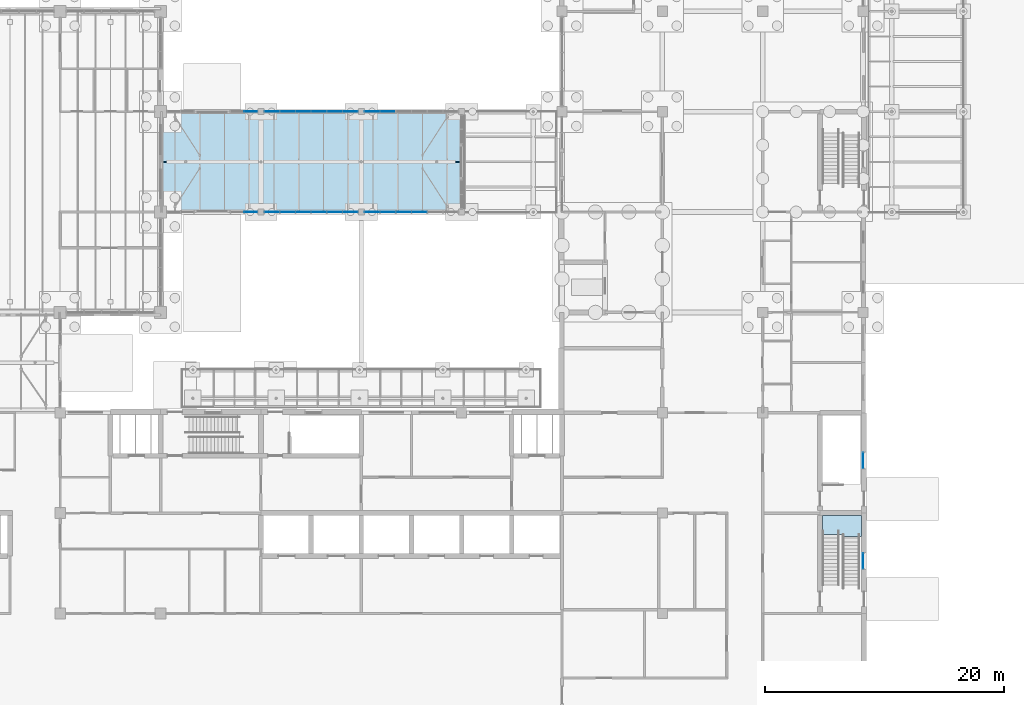
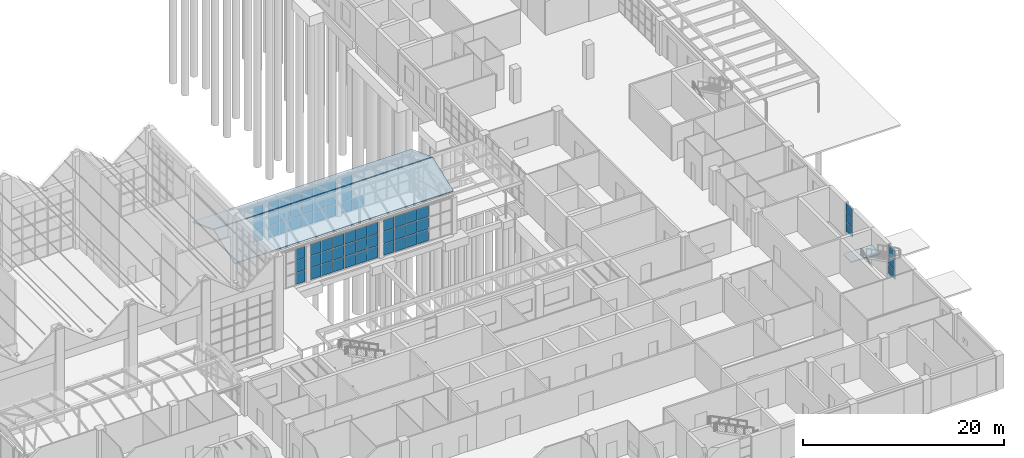
# One storey, part 89 of 138: 64 plates, 3 slabs, 9 elements without a shape of their own.
"""IFC4 building model written with IfcOpenShell, lengths in metres."""

from ifc_helpers import new_model, si_unit, direction, frame, origin, origin_2d, place, context, subcontext, project, spatial, polyline, rectangle, outline, extrude, material, layer, layer_set, type_object, element, aggregate, save


model = new_model("IFC4")

# Units and contexts
model_context = context("Model", 3, precision=1e-05, world=origin(), true_north=direction((0.0, 1.0)))
body_context = subcontext(model_context, "Body", "Model", "MODEL_VIEW")
ifc_project = project(units=[si_unit("LENGTHUNIT", "METRE"), si_unit("AREAUNIT", "SQUARE_METRE"), si_unit("VOLUMEUNIT", "CUBIC_METRE"), si_unit("PLANEANGLEUNIT", "RADIAN"), si_unit("MASSUNIT", "GRAM", prefix="KILO")], contexts=[model_context])

# Site, building, storey
site_placement = place(None, origin())
site = spatial("IfcSite", under=ifc_project, at=site_placement, CompositionType="ELEMENT")
building_placement = place(site_placement, origin())
building = spatial("IfcBuilding", under=site, at=building_placement, Name="Yavir Park General Hospital", CompositionType="ELEMENT")
storey_placement = place(building_placement, origin())
storey = spatial("IfcBuildingStorey", under=building, at=storey_placement, Name="L00", CompositionType="ELEMENT", Elevation=0.0)

# Stair, slab
ifc_material_1 = material(Name="Concrete C30/37", Category="concrete")
stair_type = type_object("IfcStairType", Name="Patient escape stair, 30 risers of 150 mm, 1400 mm flights", PredefinedType="HALF_TURN_STAIR", material=ifc_material_1)
stair_placement = place(storey_placement, origin())
stair = element("IfcStair", 1, at=stair_placement, inside=storey, type_object=stair_type, Name="Stair SU6, L00 to L01", PredefinedType="HALF_TURN_STAIR")
ifc_material_2 = material(Name="Concrete C30/37", Category="concrete")
ifc_layer_1 = layer(ifc_material_2, 0.159912109375)
ifc_layer_set_1 = layer_set([ifc_layer_1], Name="Concrete C30/37")
slab_type_1 = type_object("IfcSlabType", Name="Patient escape stair half landing, reinforced concrete 160 mm", PredefinedType="LANDING", material=ifc_layer_set_1)
slab_placement = place(storey_placement, frame((0.0, 0.0, 2.090087890625)))
slab = element("IfcSlab", 2, at=slab_placement, type_object=slab_type_1, Name="SU6 landing 1", PredefinedType="LANDING", context=body_context, shape_type="SweptSolid", body=[
    extrude(outline(polyline([(164.60009765625, 23.3984375), (164.60009765625, 25.0), (167.85009765625, 25.0), (167.85009765625, 23.25), (166.300048828125, 23.25), (166.300048828125, 23.3984375), (164.60009765625, 23.3984375)])), origin(), (0.0, 0.0, 1.0), 0.159912109375),
])
aggregate(stair, [slab])

# Slabs
ifc_material_3 = material(Name="Toughened safety glass", Category="glass")
ifc_layer_2 = layer(ifc_material_3, 0.14990234375)
ifc_layer_set_2 = layer_set([ifc_layer_2], Name="Toughened safety glass")
slab_type_2 = type_object("IfcSlabType", Name="Safety glass roof panel 150", PredefinedType="ROOF", material=ifc_layer_set_2)
for number, where, z_axis, x_axis, name in (
    (3, (109.199951171875, 50.39990234375, 5.10009765625), (0.0, -0.355990757172, 0.934489476028), (1.0, 0.0, 0.0), "Winter-garden concourse roof glazing CONC-S1"),
    (4, (109.199951171875, 54.6484375, 6.681640625), (0.0, 0.355990757172, 0.934489476028), (1.0, 0.0, 0.0), "Winter-garden concourse roof glazing CONC-N1"),
):
    element("IfcSlab", number, at=place(storey_placement, frame(where, z_axis=z_axis, x_axis=x_axis)), inside=storey, type_object=slab_type_2, Name=name, PredefinedType="ROOF", context=body_context, shape_type="SweptSolid", body=[
        extrude(outline(polyline([(0.0, 0.0), (25.199951171875, 0.0), (25.199951171875, 4.4426517736390725), (0.0, 4.4426517736390725), (0.0, 0.0)])), origin(), (0.0, 0.0, -1.0), 0.14990234375),
    ])

# Curtain wall, plates
ifc_material_4 = material(Name="Aluminium curtain wall frame with insulated glazing", Category="aluminium")
curtain_wall_type_1 = type_object("IfcCurtainWallType", Name="Stair light slot, ground floor, 3540 high, 1400 module", PredefinedType="NOTDEFINED", material=ifc_material_4)
curtain_wall_1_placement = place(storey_placement, origin())
curtain_wall_1 = element("IfcCurtainWall", 5, at=curtain_wall_1_placement, inside=storey, type_object=curtain_wall_type_1, Name="CW19 L00-072", PredefinedType="NOTDEFINED")
ifc_material_5 = material(Name="Impact-resistant glazed unit 60 mm")
ifc_layer_3 = layer(ifc_material_5, 0.06005859375)
ifc_layer_set_3 = layer_set([ifc_layer_3], Name="Impact-resistant glazed unit 60 mm")
plate_type_1 = type_object("IfcPlateType", Name="Stair light slot, ground floor, 3540 high panel 60", PredefinedType="CURTAIN_PANEL", material=ifc_layer_set_3)
plate_1_placement = place(storey_placement, frame((168.0, 21.199951171875, 0.64990234375), z_axis=(0.0, 0.0, 1.0), x_axis=(0.0, 1.0, 0.0)))
plate_1 = element("IfcPlate", 6, at=plate_1_placement, type_object=plate_type_1, Name="CW19 panel 1.1", PredefinedType="CURTAIN_PANEL", context=body_context, shape_type="SweptSolid", body=[
    extrude(rectangle(XDim=1.300048828125, YDim=0.06005859375, at=origin_2d()), origin(), (0.0, 0.0, 1.0), 1.10498046875),
])
plate_2_placement = place(storey_placement, frame((168.0, 21.199951171875, 1.80517578125), z_axis=(0.0, 0.0, 1.0), x_axis=(0.0, 1.0, 0.0)))
plate_2 = element("IfcPlate", 7, at=plate_2_placement, type_object=plate_type_1, Name="CW19 panel 1.2", PredefinedType="CURTAIN_PANEL", context=body_context, shape_type="SweptSolid", body=[
    extrude(rectangle(XDim=1.300048828125, YDim=0.06005859375, at=origin_2d()), origin(), (0.0, 0.0, 1.0), 1.1298828125),
])
plate_3_placement = place(storey_placement, frame((168.0, 21.199951171875, 2.985107421875), z_axis=(0.0, 0.0, 1.0), x_axis=(0.0, 1.0, 0.0)))
plate_3 = element("IfcPlate", 8, at=plate_3_placement, type_object=plate_type_1, Name="CW19 panel 1.3", PredefinedType="CURTAIN_PANEL", context=body_context, shape_type="SweptSolid", body=[
    extrude(rectangle(XDim=1.300048828125, YDim=0.06005859375, at=origin_2d()), origin(), (0.0, 0.0, 1.0), 1.10498046875),
])
aggregate(curtain_wall_1, [plate_1, plate_2, plate_3])

curtain_wall_2_placement = place(storey_placement, origin())
curtain_wall_2 = element("IfcCurtainWall", 9, at=curtain_wall_2_placement, inside=storey, type_object=curtain_wall_type_1, Name="CW19 L00-073", PredefinedType="NOTDEFINED")
plate_4_placement = place(storey_placement, frame((168.0, 29.60009765625, 0.64990234375), z_axis=(0.0, 0.0, 1.0), x_axis=(0.0, 1.0, 0.0)))
plate_4 = element("IfcPlate", 10, at=plate_4_placement, type_object=plate_type_1, Name="CW19 panel 1.1", PredefinedType="CURTAIN_PANEL", context=body_context, shape_type="SweptSolid", body=[
    extrude(rectangle(XDim=1.300048828125, YDim=0.06005859375, at=origin_2d()), origin(), (0.0, 0.0, 1.0), 1.10498046875),
])
plate_5_placement = place(storey_placement, frame((168.0, 29.60009765625, 1.80517578125), z_axis=(0.0, 0.0, 1.0), x_axis=(0.0, 1.0, 0.0)))
plate_5 = element("IfcPlate", 11, at=plate_5_placement, type_object=plate_type_1, Name="CW19 panel 1.2", PredefinedType="CURTAIN_PANEL", context=body_context, shape_type="SweptSolid", body=[
    extrude(rectangle(XDim=1.300048828125, YDim=0.06005859375, at=origin_2d()), origin(), (0.0, 0.0, 1.0), 1.1298828125),
])
plate_6_placement = place(storey_placement, frame((168.0, 29.60009765625, 2.985107421875), z_axis=(0.0, 0.0, 1.0), x_axis=(0.0, 1.0, 0.0)))
plate_6 = element("IfcPlate", 12, at=plate_6_placement, type_object=plate_type_1, Name="CW19 panel 1.3", PredefinedType="CURTAIN_PANEL", context=body_context, shape_type="SweptSolid", body=[
    extrude(rectangle(XDim=1.300048828125, YDim=0.06005859375, at=origin_2d()), origin(), (0.0, 0.0, 1.0), 1.10498046875),
])
aggregate(curtain_wall_2, [plate_4, plate_5, plate_6])

ifc_material_6 = material(Name="Aluminium curtain wall frame with insulated glazing", Category="aluminium")
curtain_wall_type_2 = type_object("IfcCurtainWallType", Name="Winter-garden concourse glazing, 4425 high, 1400 module", PredefinedType="NOTDEFINED", material=ifc_material_6)
curtain_wall_3_placement = place(storey_placement, origin())
curtain_wall_3 = element("IfcCurtainWall", 13, at=curtain_wall_3_placement, inside=storey, type_object=curtain_wall_type_2, Name="CW37 L00-014", PredefinedType="NOTDEFINED")
ifc_material_7 = material(Name="Solar-control insulated glazed unit 40 mm")
ifc_layer_4 = layer(ifc_material_7, 0.0400390625)
ifc_layer_set_4 = layer_set([ifc_layer_4], Name="Solar-control insulated glazed unit 40 mm")
plate_type_2 = type_object("IfcPlateType", Name="Winter-garden concourse glazing, 4425 high panel 40", PredefinedType="CURTAIN_PANEL", material=ifc_layer_set_4)
plate_7_placement = place(storey_placement, frame((116.753662109375, 50.39990234375, 0.06005859375), z_axis=(0.0, 0.0, 1.0), x_axis=(1.0, 0.0, 0.0)))
plate_7 = element("IfcPlate", 14, at=plate_7_placement, type_object=plate_type_2, Name="CW37 panel 2.1", PredefinedType="CURTAIN_PANEL", context=body_context, shape_type="SweptSolid", body=[
    extrude(rectangle(XDim=1.072509765625, YDim=0.0400390625, at=origin_2d()), origin(), (0.0, 0.0, 1.0), 1.385009765625),
])
plate_8_placement = place(storey_placement, frame((116.753662109375, 50.39990234375, 1.5048828125), z_axis=(0.0, 0.0, 1.0), x_axis=(1.0, 0.0, 0.0)))
plate_8 = element("IfcPlate", 15, at=plate_8_placement, type_object=plate_type_2, Name="CW37 panel 2.2", PredefinedType="CURTAIN_PANEL", context=body_context, shape_type="SweptSolid", body=[
    extrude(rectangle(XDim=1.072509765625, YDim=0.0400390625, at=origin_2d()), origin(), (0.0, 0.0, 1.0), 1.4150390625),
])
plate_9_placement = place(storey_placement, frame((116.753662109375, 50.39990234375, 2.97998046875), z_axis=(0.0, 0.0, 1.0), x_axis=(1.0, 0.0, 0.0)))
plate_9 = element("IfcPlate", 16, at=plate_9_placement, type_object=plate_type_2, Name="CW37 panel 2.3", PredefinedType="CURTAIN_PANEL", context=body_context, shape_type="SweptSolid", body=[
    extrude(rectangle(XDim=1.072509765625, YDim=0.0400390625, at=origin_2d()), origin(), (0.0, 0.0, 1.0), 1.385009765625),
])
aggregate(curtain_wall_3, [plate_7, plate_8, plate_9])

curtain_wall_4_placement = place(storey_placement, origin())
curtain_wall_4 = element("IfcCurtainWall", 17, at=curtain_wall_4_placement, inside=storey, type_object=curtain_wall_type_2, Name="CW37 L00-015", PredefinedType="NOTDEFINED")
plate_10_placement = place(storey_placement, frame((118.5234375, 50.39990234375, 0.06005859375), z_axis=(0.0, 0.0, 1.0), x_axis=(1.0, 0.0, 0.0)))
plate_10 = element("IfcPlate", 18, at=plate_10_placement, type_object=plate_type_2, Name="CW37 panel 1.1", PredefinedType="CURTAIN_PANEL", context=body_context, shape_type="SweptSolid", body=[
    extrude(rectangle(XDim=1.2265625, YDim=0.0400390625, at=origin_2d()), origin(), (0.0, 0.0, 1.0), 1.385009765625),
])
plate_11_placement = place(storey_placement, frame((118.5234375, 50.39990234375, 1.5048828125), z_axis=(0.0, 0.0, 1.0), x_axis=(1.0, 0.0, 0.0)))
plate_11 = element("IfcPlate", 19, at=plate_11_placement, type_object=plate_type_2, Name="CW37 panel 1.2", PredefinedType="CURTAIN_PANEL", context=body_context, shape_type="SweptSolid", body=[
    extrude(rectangle(XDim=1.2265625, YDim=0.0400390625, at=origin_2d()), origin(), (0.0, 0.0, 1.0), 1.4150390625),
])
plate_12_placement = place(storey_placement, frame((118.5234375, 50.39990234375, 2.97998046875), z_axis=(0.0, 0.0, 1.0), x_axis=(1.0, 0.0, 0.0)))
plate_12 = element("IfcPlate", 20, at=plate_12_placement, type_object=plate_type_2, Name="CW37 panel 1.3", PredefinedType="CURTAIN_PANEL", context=body_context, shape_type="SweptSolid", body=[
    extrude(rectangle(XDim=1.2265625, YDim=0.0400390625, at=origin_2d()), origin(), (0.0, 0.0, 1.0), 1.385009765625),
])
plate_13_placement = place(storey_placement, frame((119.824951171875, 50.39990234375, 0.06005859375), z_axis=(0.0, 0.0, 1.0), x_axis=(1.0, 0.0, 0.0)))
plate_13 = element("IfcPlate", 21, at=plate_13_placement, type_object=plate_type_2, Name="CW37 panel 2.1", PredefinedType="CURTAIN_PANEL", context=body_context, shape_type="SweptSolid", body=[
    extrude(rectangle(XDim=1.256591796875, YDim=0.0400390625, at=origin_2d()), origin(), (0.0, 0.0, 1.0), 1.385009765625),
])
plate_14_placement = place(storey_placement, frame((119.824951171875, 50.39990234375, 1.5048828125), z_axis=(0.0, 0.0, 1.0), x_axis=(1.0, 0.0, 0.0)))
plate_14 = element("IfcPlate", 22, at=plate_14_placement, type_object=plate_type_2, Name="CW37 panel 2.2", PredefinedType="CURTAIN_PANEL", context=body_context, shape_type="SweptSolid", body=[
    extrude(rectangle(XDim=1.256591796875, YDim=0.0400390625, at=origin_2d()), origin(), (0.0, 0.0, 1.0), 1.4150390625),
])
plate_15_placement = place(storey_placement, frame((119.824951171875, 50.39990234375, 2.97998046875), z_axis=(0.0, 0.0, 1.0), x_axis=(1.0, 0.0, 0.0)))
plate_15 = element("IfcPlate", 23, at=plate_15_placement, type_object=plate_type_2, Name="CW37 panel 2.3", PredefinedType="CURTAIN_PANEL", context=body_context, shape_type="SweptSolid", body=[
    extrude(rectangle(XDim=1.256591796875, YDim=0.0400390625, at=origin_2d()), origin(), (0.0, 0.0, 1.0), 1.385009765625),
])
plate_16_placement = place(storey_placement, frame((121.1416015625, 50.39990234375, 0.06005859375), z_axis=(0.0, 0.0, 1.0), x_axis=(1.0, 0.0, 0.0)))
plate_16 = element("IfcPlate", 24, at=plate_16_placement, type_object=plate_type_2, Name="CW37 panel 3.1", PredefinedType="CURTAIN_PANEL", context=body_context, shape_type="SweptSolid", body=[
    extrude(rectangle(XDim=1.256591796875, YDim=0.0400390625, at=origin_2d()), origin(), (0.0, 0.0, 1.0), 1.385009765625),
])
plate_17_placement = place(storey_placement, frame((121.1416015625, 50.39990234375, 1.5048828125), z_axis=(0.0, 0.0, 1.0), x_axis=(1.0, 0.0, 0.0)))
plate_17 = element("IfcPlate", 25, at=plate_17_placement, type_object=plate_type_2, Name="CW37 panel 3.2", PredefinedType="CURTAIN_PANEL", context=body_context, shape_type="SweptSolid", body=[
    extrude(rectangle(XDim=1.256591796875, YDim=0.0400390625, at=origin_2d()), origin(), (0.0, 0.0, 1.0), 1.4150390625),
])
plate_18_placement = place(storey_placement, frame((121.1416015625, 50.39990234375, 2.97998046875), z_axis=(0.0, 0.0, 1.0), x_axis=(1.0, 0.0, 0.0)))
plate_18 = element("IfcPlate", 26, at=plate_18_placement, type_object=plate_type_2, Name="CW37 panel 3.3", PredefinedType="CURTAIN_PANEL", context=body_context, shape_type="SweptSolid", body=[
    extrude(rectangle(XDim=1.256591796875, YDim=0.0400390625, at=origin_2d()), origin(), (0.0, 0.0, 1.0), 1.385009765625),
])
plate_19_placement = place(storey_placement, frame((122.458251953125, 50.39990234375, 0.06005859375), z_axis=(0.0, 0.0, 1.0), x_axis=(1.0, 0.0, 0.0)))
plate_19 = element("IfcPlate", 27, at=plate_19_placement, type_object=plate_type_2, Name="CW37 panel 4.1", PredefinedType="CURTAIN_PANEL", context=body_context, shape_type="SweptSolid", body=[
    extrude(rectangle(XDim=1.256591796875, YDim=0.0400390625, at=origin_2d()), origin(), (0.0, 0.0, 1.0), 1.385009765625),
])
plate_20_placement = place(storey_placement, frame((122.458251953125, 50.39990234375, 1.5048828125), z_axis=(0.0, 0.0, 1.0), x_axis=(1.0, 0.0, 0.0)))
plate_20 = element("IfcPlate", 28, at=plate_20_placement, type_object=plate_type_2, Name="CW37 panel 4.2", PredefinedType="CURTAIN_PANEL", context=body_context, shape_type="SweptSolid", body=[
    extrude(rectangle(XDim=1.256591796875, YDim=0.0400390625, at=origin_2d()), origin(), (0.0, 0.0, 1.0), 1.4150390625),
])
plate_21_placement = place(storey_placement, frame((122.458251953125, 50.39990234375, 2.97998046875), z_axis=(0.0, 0.0, 1.0), x_axis=(1.0, 0.0, 0.0)))
plate_21 = element("IfcPlate", 29, at=plate_21_placement, type_object=plate_type_2, Name="CW37 panel 4.3", PredefinedType="CURTAIN_PANEL", context=body_context, shape_type="SweptSolid", body=[
    extrude(rectangle(XDim=1.256591796875, YDim=0.0400390625, at=origin_2d()), origin(), (0.0, 0.0, 1.0), 1.385009765625),
])
plate_22_placement = place(storey_placement, frame((123.77490234375, 50.39990234375, 0.06005859375), z_axis=(0.0, 0.0, 1.0), x_axis=(1.0, 0.0, 0.0)))
plate_22 = element("IfcPlate", 30, at=plate_22_placement, type_object=plate_type_2, Name="CW37 panel 5.1", PredefinedType="CURTAIN_PANEL", context=body_context, shape_type="SweptSolid", body=[
    extrude(rectangle(XDim=1.256591796875, YDim=0.0400390625, at=origin_2d()), origin(), (0.0, 0.0, 1.0), 1.385009765625),
])
plate_23_placement = place(storey_placement, frame((123.77490234375, 50.39990234375, 1.5048828125), z_axis=(0.0, 0.0, 1.0), x_axis=(1.0, 0.0, 0.0)))
plate_23 = element("IfcPlate", 31, at=plate_23_placement, type_object=plate_type_2, Name="CW37 panel 5.2", PredefinedType="CURTAIN_PANEL", context=body_context, shape_type="SweptSolid", body=[
    extrude(rectangle(XDim=1.256591796875, YDim=0.0400390625, at=origin_2d()), origin(), (0.0, 0.0, 1.0), 1.4150390625),
])
plate_24_placement = place(storey_placement, frame((123.77490234375, 50.39990234375, 2.97998046875), z_axis=(0.0, 0.0, 1.0), x_axis=(1.0, 0.0, 0.0)))
plate_24 = element("IfcPlate", 32, at=plate_24_placement, type_object=plate_type_2, Name="CW37 panel 5.3", PredefinedType="CURTAIN_PANEL", context=body_context, shape_type="SweptSolid", body=[
    extrude(rectangle(XDim=1.256591796875, YDim=0.0400390625, at=origin_2d()), origin(), (0.0, 0.0, 1.0), 1.385009765625),
])
plate_25_placement = place(storey_placement, frame((125.07666015625, 50.39990234375, 0.06005859375), z_axis=(0.0, 0.0, 1.0), x_axis=(1.0, 0.0, 0.0)))
plate_25 = element("IfcPlate", 33, at=plate_25_placement, type_object=plate_type_2, Name="CW37 panel 6.1", PredefinedType="CURTAIN_PANEL", context=body_context, shape_type="SweptSolid", body=[
    extrude(rectangle(XDim=1.2265625, YDim=0.0400390625, at=origin_2d()), origin(), (0.0, 0.0, 1.0), 1.385009765625),
])
plate_26_placement = place(storey_placement, frame((125.07666015625, 50.39990234375, 1.5048828125), z_axis=(0.0, 0.0, 1.0), x_axis=(1.0, 0.0, 0.0)))
plate_26 = element("IfcPlate", 34, at=plate_26_placement, type_object=plate_type_2, Name="CW37 panel 6.2", PredefinedType="CURTAIN_PANEL", context=body_context, shape_type="SweptSolid", body=[
    extrude(rectangle(XDim=1.2265625, YDim=0.0400390625, at=origin_2d()), origin(), (0.0, 0.0, 1.0), 1.4150390625),
])
plate_27_placement = place(storey_placement, frame((125.07666015625, 50.39990234375, 2.97998046875), z_axis=(0.0, 0.0, 1.0), x_axis=(1.0, 0.0, 0.0)))
plate_27 = element("IfcPlate", 35, at=plate_27_placement, type_object=plate_type_2, Name="CW37 panel 6.3", PredefinedType="CURTAIN_PANEL", context=body_context, shape_type="SweptSolid", body=[
    extrude(rectangle(XDim=1.2265625, YDim=0.0400390625, at=origin_2d()), origin(), (0.0, 0.0, 1.0), 1.385009765625),
])
aggregate(curtain_wall_4, [plate_10, plate_11, plate_12, plate_13, plate_14, plate_15, plate_16, plate_17, plate_18, plate_19, plate_20, plate_21, plate_22, plate_23, plate_24, plate_25, plate_26, plate_27])

curtain_wall_5_placement = place(storey_placement, origin())
curtain_wall_5 = element("IfcCurtainWall", 36, at=curtain_wall_5_placement, inside=storey, type_object=curtain_wall_type_2, Name="CW37 L00-016", PredefinedType="NOTDEFINED")
plate_28_placement = place(storey_placement, frame((126.92333984375, 50.39990234375, 0.06005859375), z_axis=(0.0, 0.0, 1.0), x_axis=(1.0, 0.0, 0.0)))
plate_28 = element("IfcPlate", 37, at=plate_28_placement, type_object=plate_type_2, Name="CW37 panel 1.1", PredefinedType="CURTAIN_PANEL", context=body_context, shape_type="SweptSolid", body=[
    extrude(rectangle(XDim=1.2265625, YDim=0.0400390625, at=origin_2d()), origin(), (0.0, 0.0, 1.0), 1.385009765625),
])
plate_29_placement = place(storey_placement, frame((126.92333984375, 50.39990234375, 1.5048828125), z_axis=(0.0, 0.0, 1.0), x_axis=(1.0, 0.0, 0.0)))
plate_29 = element("IfcPlate", 38, at=plate_29_placement, type_object=plate_type_2, Name="CW37 panel 1.2", PredefinedType="CURTAIN_PANEL", context=body_context, shape_type="SweptSolid", body=[
    extrude(rectangle(XDim=1.2265625, YDim=0.0400390625, at=origin_2d()), origin(), (0.0, 0.0, 1.0), 1.4150390625),
])
plate_30_placement = place(storey_placement, frame((126.92333984375, 50.39990234375, 2.97998046875), z_axis=(0.0, 0.0, 1.0), x_axis=(1.0, 0.0, 0.0)))
plate_30 = element("IfcPlate", 39, at=plate_30_placement, type_object=plate_type_2, Name="CW37 panel 1.3", PredefinedType="CURTAIN_PANEL", context=body_context, shape_type="SweptSolid", body=[
    extrude(rectangle(XDim=1.2265625, YDim=0.0400390625, at=origin_2d()), origin(), (0.0, 0.0, 1.0), 1.385009765625),
])
plate_31_placement = place(storey_placement, frame((128.22509765625, 50.39990234375, 0.06005859375), z_axis=(0.0, 0.0, 1.0), x_axis=(1.0, 0.0, 0.0)))
plate_31 = element("IfcPlate", 40, at=plate_31_placement, type_object=plate_type_2, Name="CW37 panel 2.1", PredefinedType="CURTAIN_PANEL", context=body_context, shape_type="SweptSolid", body=[
    extrude(rectangle(XDim=1.256591796875, YDim=0.0400390625, at=origin_2d()), origin(), (0.0, 0.0, 1.0), 1.385009765625),
])
plate_32_placement = place(storey_placement, frame((128.22509765625, 50.39990234375, 1.5048828125), z_axis=(0.0, 0.0, 1.0), x_axis=(1.0, 0.0, 0.0)))
plate_32 = element("IfcPlate", 41, at=plate_32_placement, type_object=plate_type_2, Name="CW37 panel 2.2", PredefinedType="CURTAIN_PANEL", context=body_context, shape_type="SweptSolid", body=[
    extrude(rectangle(XDim=1.256591796875, YDim=0.0400390625, at=origin_2d()), origin(), (0.0, 0.0, 1.0), 1.4150390625),
])
plate_33_placement = place(storey_placement, frame((128.22509765625, 50.39990234375, 2.97998046875), z_axis=(0.0, 0.0, 1.0), x_axis=(1.0, 0.0, 0.0)))
plate_33 = element("IfcPlate", 42, at=plate_33_placement, type_object=plate_type_2, Name="CW37 panel 2.3", PredefinedType="CURTAIN_PANEL", context=body_context, shape_type="SweptSolid", body=[
    extrude(rectangle(XDim=1.256591796875, YDim=0.0400390625, at=origin_2d()), origin(), (0.0, 0.0, 1.0), 1.385009765625),
])
plate_34_placement = place(storey_placement, frame((129.541748046875, 50.39990234375, 0.06005859375), z_axis=(0.0, 0.0, 1.0), x_axis=(1.0, 0.0, 0.0)))
plate_34 = element("IfcPlate", 43, at=plate_34_placement, type_object=plate_type_2, Name="CW37 panel 3.1", PredefinedType="CURTAIN_PANEL", context=body_context, shape_type="SweptSolid", body=[
    extrude(rectangle(XDim=1.256591796875, YDim=0.0400390625, at=origin_2d()), origin(), (0.0, 0.0, 1.0), 1.385009765625),
])
plate_35_placement = place(storey_placement, frame((129.541748046875, 50.39990234375, 1.5048828125), z_axis=(0.0, 0.0, 1.0), x_axis=(1.0, 0.0, 0.0)))
plate_35 = element("IfcPlate", 44, at=plate_35_placement, type_object=plate_type_2, Name="CW37 panel 3.2", PredefinedType="CURTAIN_PANEL", context=body_context, shape_type="SweptSolid", body=[
    extrude(rectangle(XDim=1.256591796875, YDim=0.0400390625, at=origin_2d()), origin(), (0.0, 0.0, 1.0), 1.4150390625),
])
plate_36_placement = place(storey_placement, frame((129.541748046875, 50.39990234375, 2.97998046875), z_axis=(0.0, 0.0, 1.0), x_axis=(1.0, 0.0, 0.0)))
plate_36 = element("IfcPlate", 45, at=plate_36_placement, type_object=plate_type_2, Name="CW37 panel 3.3", PredefinedType="CURTAIN_PANEL", context=body_context, shape_type="SweptSolid", body=[
    extrude(rectangle(XDim=1.256591796875, YDim=0.0400390625, at=origin_2d()), origin(), (0.0, 0.0, 1.0), 1.385009765625),
])
plate_37_placement = place(storey_placement, frame((130.8583984375, 50.39990234375, 0.06005859375), z_axis=(0.0, 0.0, 1.0), x_axis=(1.0, 0.0, 0.0)))
plate_37 = element("IfcPlate", 46, at=plate_37_placement, type_object=plate_type_2, Name="CW37 panel 4.1", PredefinedType="CURTAIN_PANEL", context=body_context, shape_type="SweptSolid", body=[
    extrude(rectangle(XDim=1.256591796875, YDim=0.0400390625, at=origin_2d()), origin(), (0.0, 0.0, 1.0), 1.385009765625),
])
plate_38_placement = place(storey_placement, frame((130.8583984375, 50.39990234375, 1.5048828125), z_axis=(0.0, 0.0, 1.0), x_axis=(1.0, 0.0, 0.0)))
plate_38 = element("IfcPlate", 47, at=plate_38_placement, type_object=plate_type_2, Name="CW37 panel 4.2", PredefinedType="CURTAIN_PANEL", context=body_context, shape_type="SweptSolid", body=[
    extrude(rectangle(XDim=1.256591796875, YDim=0.0400390625, at=origin_2d()), origin(), (0.0, 0.0, 1.0), 1.4150390625),
])
plate_39_placement = place(storey_placement, frame((130.8583984375, 50.39990234375, 2.97998046875), z_axis=(0.0, 0.0, 1.0), x_axis=(1.0, 0.0, 0.0)))
plate_39 = element("IfcPlate", 48, at=plate_39_placement, type_object=plate_type_2, Name="CW37 panel 4.3", PredefinedType="CURTAIN_PANEL", context=body_context, shape_type="SweptSolid", body=[
    extrude(rectangle(XDim=1.256591796875, YDim=0.0400390625, at=origin_2d()), origin(), (0.0, 0.0, 1.0), 1.385009765625),
])
aggregate(curtain_wall_5, [plate_28, plate_29, plate_30, plate_31, plate_32, plate_33, plate_34, plate_35, plate_36, plate_37, plate_38, plate_39])

curtain_wall_6_placement = place(storey_placement, origin())
curtain_wall_6 = element("IfcCurtainWall", 49, at=curtain_wall_6_placement, inside=storey, type_object=curtain_wall_type_2, Name="CW37 L00-019", PredefinedType="NOTDEFINED")
plate_40_placement = place(storey_placement, frame((116.753662109375, 58.800048828125, 0.06005859375), z_axis=(0.0, 0.0, 1.0), x_axis=(1.0, 0.0, 0.0)))
plate_40 = element("IfcPlate", 50, at=plate_40_placement, type_object=plate_type_2, Name="CW37 panel 2.1", PredefinedType="CURTAIN_PANEL", context=body_context, shape_type="SweptSolid", body=[
    extrude(rectangle(XDim=1.072509765625, YDim=0.0400390625, at=origin_2d()), origin(), (0.0, 0.0, 1.0), 1.385009765625),
])
plate_41_placement = place(storey_placement, frame((116.753662109375, 58.800048828125, 1.5048828125), z_axis=(0.0, 0.0, 1.0), x_axis=(1.0, 0.0, 0.0)))
plate_41 = element("IfcPlate", 51, at=plate_41_placement, type_object=plate_type_2, Name="CW37 panel 2.2", PredefinedType="CURTAIN_PANEL", context=body_context, shape_type="SweptSolid", body=[
    extrude(rectangle(XDim=1.072509765625, YDim=0.0400390625, at=origin_2d()), origin(), (0.0, 0.0, 1.0), 1.4150390625),
])
plate_42_placement = place(storey_placement, frame((116.753662109375, 58.800048828125, 2.97998046875), z_axis=(0.0, 0.0, 1.0), x_axis=(1.0, 0.0, 0.0)))
plate_42 = element("IfcPlate", 52, at=plate_42_placement, type_object=plate_type_2, Name="CW37 panel 2.3", PredefinedType="CURTAIN_PANEL", context=body_context, shape_type="SweptSolid", body=[
    extrude(rectangle(XDim=1.072509765625, YDim=0.0400390625, at=origin_2d()), origin(), (0.0, 0.0, 1.0), 1.385009765625),
])
aggregate(curtain_wall_6, [plate_40, plate_41, plate_42])

curtain_wall_7_placement = place(storey_placement, origin())
curtain_wall_7 = element("IfcCurtainWall", 53, at=curtain_wall_7_placement, inside=storey, type_object=curtain_wall_type_2, Name="CW37 L00-020", PredefinedType="NOTDEFINED")
plate_43_placement = place(storey_placement, frame((118.5234375, 58.800048828125, 0.06005859375), z_axis=(0.0, 0.0, 1.0), x_axis=(1.0, 0.0, 0.0)))
plate_43 = element("IfcPlate", 54, at=plate_43_placement, type_object=plate_type_2, Name="CW37 panel 1.1", PredefinedType="CURTAIN_PANEL", context=body_context, shape_type="SweptSolid", body=[
    extrude(rectangle(XDim=1.2265625, YDim=0.0400390625, at=origin_2d()), origin(), (0.0, 0.0, 1.0), 1.385009765625),
])
plate_44_placement = place(storey_placement, frame((118.5234375, 58.800048828125, 1.5048828125), z_axis=(0.0, 0.0, 1.0), x_axis=(1.0, 0.0, 0.0)))
plate_44 = element("IfcPlate", 55, at=plate_44_placement, type_object=plate_type_2, Name="CW37 panel 1.2", PredefinedType="CURTAIN_PANEL", context=body_context, shape_type="SweptSolid", body=[
    extrude(rectangle(XDim=1.2265625, YDim=0.0400390625, at=origin_2d()), origin(), (0.0, 0.0, 1.0), 1.4150390625),
])
plate_45_placement = place(storey_placement, frame((118.5234375, 58.800048828125, 2.97998046875), z_axis=(0.0, 0.0, 1.0), x_axis=(1.0, 0.0, 0.0)))
plate_45 = element("IfcPlate", 56, at=plate_45_placement, type_object=plate_type_2, Name="CW37 panel 1.3", PredefinedType="CURTAIN_PANEL", context=body_context, shape_type="SweptSolid", body=[
    extrude(rectangle(XDim=1.2265625, YDim=0.0400390625, at=origin_2d()), origin(), (0.0, 0.0, 1.0), 1.385009765625),
])
plate_46_placement = place(storey_placement, frame((119.824951171875, 58.800048828125, 0.06005859375), z_axis=(0.0, 0.0, 1.0), x_axis=(1.0, 0.0, 0.0)))
plate_46 = element("IfcPlate", 57, at=plate_46_placement, type_object=plate_type_2, Name="CW37 panel 2.1", PredefinedType="CURTAIN_PANEL", context=body_context, shape_type="SweptSolid", body=[
    extrude(rectangle(XDim=1.256591796875, YDim=0.0400390625, at=origin_2d()), origin(), (0.0, 0.0, 1.0), 1.385009765625),
])
plate_47_placement = place(storey_placement, frame((119.824951171875, 58.800048828125, 1.5048828125), z_axis=(0.0, 0.0, 1.0), x_axis=(1.0, 0.0, 0.0)))
plate_47 = element("IfcPlate", 58, at=plate_47_placement, type_object=plate_type_2, Name="CW37 panel 2.2", PredefinedType="CURTAIN_PANEL", context=body_context, shape_type="SweptSolid", body=[
    extrude(rectangle(XDim=1.256591796875, YDim=0.0400390625, at=origin_2d()), origin(), (0.0, 0.0, 1.0), 1.4150390625),
])
plate_48_placement = place(storey_placement, frame((119.824951171875, 58.800048828125, 2.97998046875), z_axis=(0.0, 0.0, 1.0), x_axis=(1.0, 0.0, 0.0)))
plate_48 = element("IfcPlate", 59, at=plate_48_placement, type_object=plate_type_2, Name="CW37 panel 2.3", PredefinedType="CURTAIN_PANEL", context=body_context, shape_type="SweptSolid", body=[
    extrude(rectangle(XDim=1.256591796875, YDim=0.0400390625, at=origin_2d()), origin(), (0.0, 0.0, 1.0), 1.385009765625),
])
plate_49_placement = place(storey_placement, frame((121.1416015625, 58.800048828125, 0.06005859375), z_axis=(0.0, 0.0, 1.0), x_axis=(1.0, 0.0, 0.0)))
plate_49 = element("IfcPlate", 60, at=plate_49_placement, type_object=plate_type_2, Name="CW37 panel 3.1", PredefinedType="CURTAIN_PANEL", context=body_context, shape_type="SweptSolid", body=[
    extrude(rectangle(XDim=1.256591796875, YDim=0.0400390625, at=origin_2d()), origin(), (0.0, 0.0, 1.0), 1.385009765625),
])
plate_50_placement = place(storey_placement, frame((121.1416015625, 58.800048828125, 1.5048828125), z_axis=(0.0, 0.0, 1.0), x_axis=(1.0, 0.0, 0.0)))
plate_50 = element("IfcPlate", 61, at=plate_50_placement, type_object=plate_type_2, Name="CW37 panel 3.2", PredefinedType="CURTAIN_PANEL", context=body_context, shape_type="SweptSolid", body=[
    extrude(rectangle(XDim=1.256591796875, YDim=0.0400390625, at=origin_2d()), origin(), (0.0, 0.0, 1.0), 1.4150390625),
])
plate_51_placement = place(storey_placement, frame((121.1416015625, 58.800048828125, 2.97998046875), z_axis=(0.0, 0.0, 1.0), x_axis=(1.0, 0.0, 0.0)))
plate_51 = element("IfcPlate", 62, at=plate_51_placement, type_object=plate_type_2, Name="CW37 panel 3.3", PredefinedType="CURTAIN_PANEL", context=body_context, shape_type="SweptSolid", body=[
    extrude(rectangle(XDim=1.256591796875, YDim=0.0400390625, at=origin_2d()), origin(), (0.0, 0.0, 1.0), 1.385009765625),
])
plate_52_placement = place(storey_placement, frame((122.458251953125, 58.800048828125, 0.06005859375), z_axis=(0.0, 0.0, 1.0), x_axis=(1.0, 0.0, 0.0)))
plate_52 = element("IfcPlate", 63, at=plate_52_placement, type_object=plate_type_2, Name="CW37 panel 4.1", PredefinedType="CURTAIN_PANEL", context=body_context, shape_type="SweptSolid", body=[
    extrude(rectangle(XDim=1.256591796875, YDim=0.0400390625, at=origin_2d()), origin(), (0.0, 0.0, 1.0), 1.385009765625),
])
plate_53_placement = place(storey_placement, frame((122.458251953125, 58.800048828125, 1.5048828125), z_axis=(0.0, 0.0, 1.0), x_axis=(1.0, 0.0, 0.0)))
plate_53 = element("IfcPlate", 64, at=plate_53_placement, type_object=plate_type_2, Name="CW37 panel 4.2", PredefinedType="CURTAIN_PANEL", context=body_context, shape_type="SweptSolid", body=[
    extrude(rectangle(XDim=1.256591796875, YDim=0.0400390625, at=origin_2d()), origin(), (0.0, 0.0, 1.0), 1.4150390625),
])
plate_54_placement = place(storey_placement, frame((122.458251953125, 58.800048828125, 2.97998046875), z_axis=(0.0, 0.0, 1.0), x_axis=(1.0, 0.0, 0.0)))
plate_54 = element("IfcPlate", 65, at=plate_54_placement, type_object=plate_type_2, Name="CW37 panel 4.3", PredefinedType="CURTAIN_PANEL", context=body_context, shape_type="SweptSolid", body=[
    extrude(rectangle(XDim=1.256591796875, YDim=0.0400390625, at=origin_2d()), origin(), (0.0, 0.0, 1.0), 1.385009765625),
])
plate_55_placement = place(storey_placement, frame((123.77490234375, 58.800048828125, 0.06005859375), z_axis=(0.0, 0.0, 1.0), x_axis=(1.0, 0.0, 0.0)))
plate_55 = element("IfcPlate", 66, at=plate_55_placement, type_object=plate_type_2, Name="CW37 panel 5.1", PredefinedType="CURTAIN_PANEL", context=body_context, shape_type="SweptSolid", body=[
    extrude(rectangle(XDim=1.256591796875, YDim=0.0400390625, at=origin_2d()), origin(), (0.0, 0.0, 1.0), 1.385009765625),
])
plate_56_placement = place(storey_placement, frame((123.77490234375, 58.800048828125, 1.5048828125), z_axis=(0.0, 0.0, 1.0), x_axis=(1.0, 0.0, 0.0)))
plate_56 = element("IfcPlate", 67, at=plate_56_placement, type_object=plate_type_2, Name="CW37 panel 5.2", PredefinedType="CURTAIN_PANEL", context=body_context, shape_type="SweptSolid", body=[
    extrude(rectangle(XDim=1.256591796875, YDim=0.0400390625, at=origin_2d()), origin(), (0.0, 0.0, 1.0), 1.4150390625),
])
plate_57_placement = place(storey_placement, frame((123.77490234375, 58.800048828125, 2.97998046875), z_axis=(0.0, 0.0, 1.0), x_axis=(1.0, 0.0, 0.0)))
plate_57 = element("IfcPlate", 68, at=plate_57_placement, type_object=plate_type_2, Name="CW37 panel 5.3", PredefinedType="CURTAIN_PANEL", context=body_context, shape_type="SweptSolid", body=[
    extrude(rectangle(XDim=1.256591796875, YDim=0.0400390625, at=origin_2d()), origin(), (0.0, 0.0, 1.0), 1.385009765625),
])
plate_58_placement = place(storey_placement, frame((125.07666015625, 58.800048828125, 0.06005859375), z_axis=(0.0, 0.0, 1.0), x_axis=(1.0, 0.0, 0.0)))
plate_58 = element("IfcPlate", 69, at=plate_58_placement, type_object=plate_type_2, Name="CW37 panel 6.1", PredefinedType="CURTAIN_PANEL", context=body_context, shape_type="SweptSolid", body=[
    extrude(rectangle(XDim=1.2265625, YDim=0.0400390625, at=origin_2d()), origin(), (0.0, 0.0, 1.0), 1.385009765625),
])
plate_59_placement = place(storey_placement, frame((125.07666015625, 58.800048828125, 1.5048828125), z_axis=(0.0, 0.0, 1.0), x_axis=(1.0, 0.0, 0.0)))
plate_59 = element("IfcPlate", 70, at=plate_59_placement, type_object=plate_type_2, Name="CW37 panel 6.2", PredefinedType="CURTAIN_PANEL", context=body_context, shape_type="SweptSolid", body=[
    extrude(rectangle(XDim=1.2265625, YDim=0.0400390625, at=origin_2d()), origin(), (0.0, 0.0, 1.0), 1.4150390625),
])
plate_60_placement = place(storey_placement, frame((125.07666015625, 58.800048828125, 2.97998046875), z_axis=(0.0, 0.0, 1.0), x_axis=(1.0, 0.0, 0.0)))
plate_60 = element("IfcPlate", 71, at=plate_60_placement, type_object=plate_type_2, Name="CW37 panel 6.3", PredefinedType="CURTAIN_PANEL", context=body_context, shape_type="SweptSolid", body=[
    extrude(rectangle(XDim=1.2265625, YDim=0.0400390625, at=origin_2d()), origin(), (0.0, 0.0, 1.0), 1.385009765625),
])
aggregate(curtain_wall_7, [plate_43, plate_44, plate_45, plate_46, plate_47, plate_48, plate_49, plate_50, plate_51, plate_52, plate_53, plate_54, plate_55, plate_56, plate_57, plate_58, plate_59, plate_60])

curtain_wall_8_placement = place(storey_placement, origin())
curtain_wall_8 = element("IfcCurtainWall", 72, at=curtain_wall_8_placement, inside=storey, type_object=curtain_wall_type_2, Name="CW37 L00-021", PredefinedType="NOTDEFINED")
plate_61_placement = place(storey_placement, frame((126.92333984375, 58.800048828125, 0.06005859375), z_axis=(0.0, 0.0, 1.0), x_axis=(1.0, 0.0, 0.0)))
plate_61 = element("IfcPlate", 73, at=plate_61_placement, type_object=plate_type_2, Name="CW37 panel 1.1", PredefinedType="CURTAIN_PANEL", context=body_context, shape_type="SweptSolid", body=[
    extrude(rectangle(XDim=1.2265625, YDim=0.0400390625, at=origin_2d()), origin(), (0.0, 0.0, 1.0), 1.385009765625),
])
plate_62_placement = place(storey_placement, frame((126.92333984375, 58.800048828125, 1.5048828125), z_axis=(0.0, 0.0, 1.0), x_axis=(1.0, 0.0, 0.0)))
plate_62 = element("IfcPlate", 74, at=plate_62_placement, type_object=plate_type_2, Name="CW37 panel 1.2", PredefinedType="CURTAIN_PANEL", context=body_context, shape_type="SweptSolid", body=[
    extrude(rectangle(XDim=1.2265625, YDim=0.0400390625, at=origin_2d()), origin(), (0.0, 0.0, 1.0), 1.4150390625),
])
plate_63_placement = place(storey_placement, frame((126.92333984375, 58.800048828125, 2.97998046875), z_axis=(0.0, 0.0, 1.0), x_axis=(1.0, 0.0, 0.0)))
plate_63 = element("IfcPlate", 75, at=plate_63_placement, type_object=plate_type_2, Name="CW37 panel 1.3", PredefinedType="CURTAIN_PANEL", context=body_context, shape_type="SweptSolid", body=[
    extrude(rectangle(XDim=1.2265625, YDim=0.0400390625, at=origin_2d()), origin(), (0.0, 0.0, 1.0), 1.385009765625),
])
plate_64_placement = place(storey_placement, frame((128.22509765625, 58.800048828125, 0.06005859375), z_axis=(0.0, 0.0, 1.0), x_axis=(1.0, 0.0, 0.0)))
plate_64 = element("IfcPlate", 76, at=plate_64_placement, type_object=plate_type_2, Name="CW37 panel 2.1", PredefinedType="CURTAIN_PANEL", context=body_context, shape_type="SweptSolid", body=[
    extrude(rectangle(XDim=1.256591796875, YDim=0.0400390625, at=origin_2d()), origin(), (0.0, 0.0, 1.0), 1.385009765625),
])
aggregate(curtain_wall_8, [plate_61, plate_62, plate_63, plate_64])

save(model, "model.ifc")
